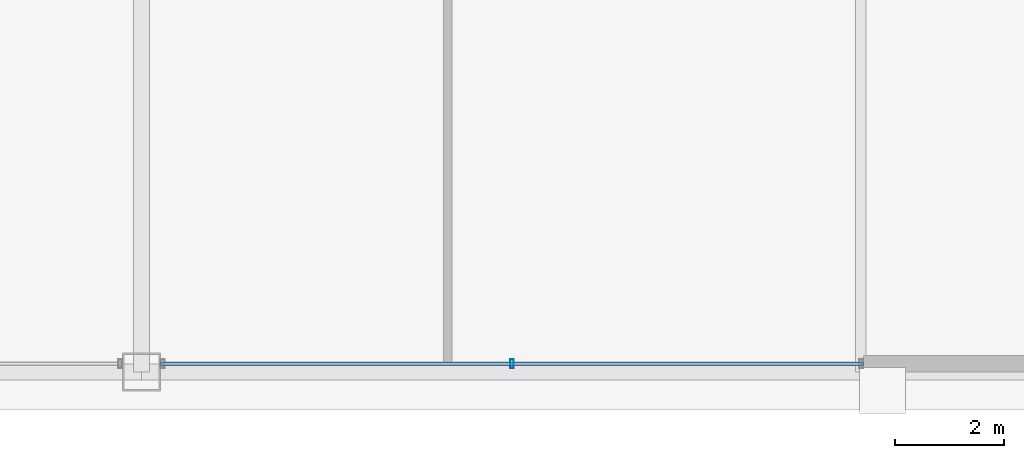
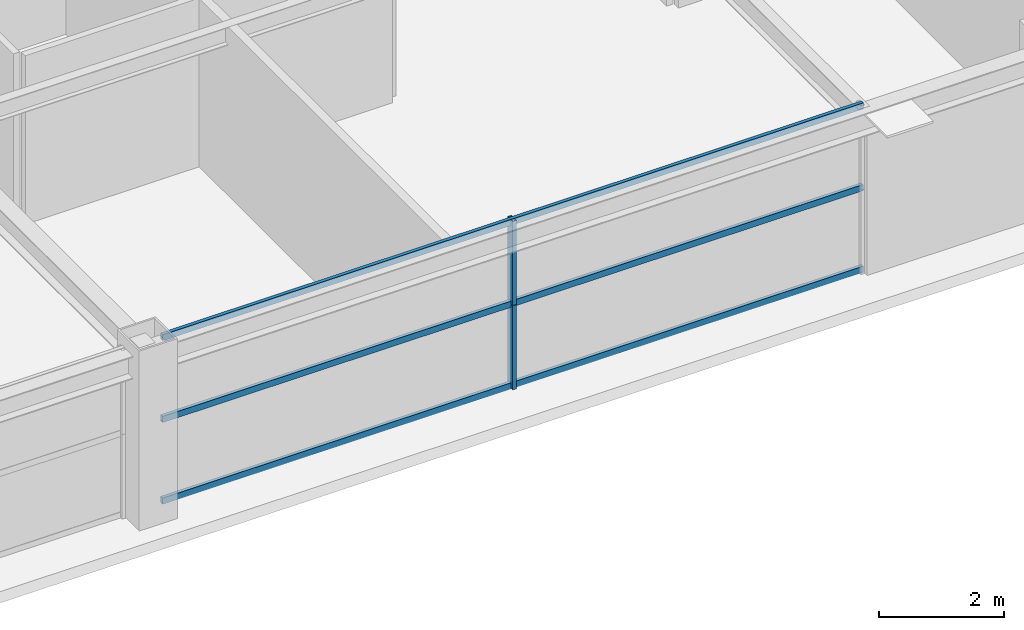
# One storey, part 11 of 36: 5 members, 1 element without a shape of its own.
"""IFC4 building model written with IfcOpenShell, lengths in metres."""

from ifc_helpers import new_model, si_unit, direction, frame, origin, origin_2d, place, context, subcontext, project, spatial, hollow_rectangle, extrude, source, transform, mapped, material, layer, layer_set, material_profile, profile_set, type_object, element, aggregate, save


model = new_model("IFC4")

# Units and contexts
model_context = context("Model", 3, precision=1e-05, world=origin(), true_north=direction((0.0, 1.0)))
body_context = subcontext(model_context, "Body", "Model", "MODEL_VIEW")
ifc_project = project(units=[si_unit("LENGTHUNIT", "METRE"), si_unit("AREAUNIT", "SQUARE_METRE"), si_unit("VOLUMEUNIT", "CUBIC_METRE"), si_unit("PLANEANGLEUNIT", "RADIAN"), si_unit("MASSUNIT", "GRAM", prefix="KILO"), si_unit("THERMODYNAMICTEMPERATUREUNIT", "KELVIN"), si_unit("POWERUNIT", "WATT")], contexts=[model_context])

# Site, building, storey
site_placement = place(None, origin())
site = spatial("IfcSite", under=ifc_project, at=site_placement, CompositionType="ELEMENT")
building_placement = place(site_placement, origin())
building = spatial("IfcBuilding", under=site, at=building_placement, Name="Yuzanri Waterfront Tower", CompositionType="ELEMENT")
storey_placement = place(building_placement, frame((0.0, 0.0, 238.10009765625)))
storey = spatial("IfcBuildingStorey", under=building, at=storey_placement, Name="L63", CompositionType="ELEMENT", Elevation=238.10009765625)

# Curtain wall, members
ifc_material_1 = material(Name="Anodized Architectural Bronze", Category="metal")
ifc_layer = layer(ifc_material_1, 0.159912109375)
ifc_layer_set = layer_set([ifc_layer], Name="Anodized Architectural Bronze")
curtain_wall_type = type_object("IfcCurtainWallType", Name="Anodized Bronze Mid-Rise Residential Acoustic Unitized Curtain Wall 7200", PredefinedType="NOTDEFINED", material=ifc_layer_set)
curtain_wall_placement = place(storey_placement, origin())
curtain_wall = element("IfcCurtainWall", 1, at=curtain_wall_placement, inside=storey, type_object=curtain_wall_type, Name="L63 Curtain Wall CW-L63-SR", PredefinedType="NOTDEFINED")
ifc_material_2 = material(Name="Anodized Architectural Bronze", Category="metal")
ifc_material_profile_1 = material_profile(ifc_material_2, hollow_rectangle(XDim=0.06494140625, YDim=0.159912109375, WallThickness=0.00341796875, at=origin_2d()), Name="CWM 65x160")
ifc_profile_set_1 = profile_set([ifc_material_profile_1], Name="Anodized Architectural Bronze")
member_type_1 = type_object("IfcMemberType", Name="Anodized Bronze Upper-Zone Curtain-Wall Mullion 65x160", PredefinedType="MULLION", material=ifc_profile_set_1)
shared_shape_1 = source(origin(), body_context, "Body", "SweptSolid", [
    extrude(hollow_rectangle(XDim=0.06494140625, YDim=0.159912109375, WallThickness=0.00341796875, at=origin_2d()), origin(), (0.0, 0.0, 1.0), 1.637939453125),
])
member_1_placement = place(storey_placement, frame((43.800048828125, 5.35009765625, 0.0), z_axis=(0.0, 0.0, 1.0), x_axis=(1.0, 0.0, 0.0)))
member_1 = element("IfcMember", 2, at=member_1_placement, type_object=member_type_1, Name="CW-L63-SR Lower Mullion 01", PredefinedType="MULLION", context=body_context, shape_type="MappedRepresentation", body=[
    mapped(shared_shape_1, transform((0.0, 0.0, 0.0), scale=1.0)),
])
member_2_placement = place(storey_placement, frame((43.800048828125, 5.35009765625, 1.641845703125), z_axis=(0.0, 0.0, 1.0), x_axis=(1.0, 0.0, 0.0)))
member_2 = element("IfcMember", 3, at=member_2_placement, type_object=member_type_1, Name="CW-L63-SR Upper Mullion 01", PredefinedType="MULLION", context=body_context, shape_type="MappedRepresentation", body=[
    mapped(shared_shape_1, transform((0.0, 0.0, 0.0), scale=1.0)),
])
ifc_material_3 = material(Name="Anodized Architectural Bronze", Category="metal")
ifc_material_profile_2 = material_profile(ifc_material_3, hollow_rectangle(XDim=0.06494140625, YDim=0.1201171875, WallThickness=0.00341796875, at=origin_2d()), Name="CWT 65x120")
ifc_profile_set_2 = profile_set([ifc_material_profile_2], Name="Anodized Architectural Bronze")
member_type_2 = type_object("IfcMemberType", Name="Anodized Bronze Secondary Curtain-Wall Transom 65x120", PredefinedType="USERDEFINED", material=ifc_profile_set_2)
shared_shape_2 = source(origin(), body_context, "Body", "SweptSolid", [
    extrude(hollow_rectangle(XDim=0.06494140625, YDim=0.1201171875, WallThickness=0.00341796875, at=origin_2d()), origin(), (0.0, 0.0, 1.0), 12.89990234375),
])
member_3_placement = place(storey_placement, frame((37.35009765625, 5.35009765625, 0.0498046875), z_axis=(1.0, 0.0, 0.0), x_axis=(0.0, 1.0, 0.0)))
member_3 = element("IfcMember", 4, at=member_3_placement, type_object=member_type_2, Name="CW-L63-SR Transom 1", ObjectType="TRANSOM", PredefinedType="USERDEFINED", context=body_context, shape_type="MappedRepresentation", body=[
    mapped(shared_shape_2, transform((0.0, 0.0, 0.0), scale=1.0)),
])
member_4_placement = place(storey_placement, frame((37.35009765625, 5.35009765625, 1.639892578125), z_axis=(1.0, 0.0, 0.0), x_axis=(0.0, 1.0, 0.0)))
member_4 = element("IfcMember", 5, at=member_4_placement, type_object=member_type_2, Name="CW-L63-SR Transom 2", ObjectType="TRANSOM", PredefinedType="USERDEFINED", context=body_context, shape_type="MappedRepresentation", body=[
    mapped(shared_shape_2, transform((0.0, 0.0, 0.0), scale=1.0)),
])
member_5_placement = place(storey_placement, frame((37.35009765625, 5.35009765625, 3.22998046875), z_axis=(1.0, 0.0, 0.0), x_axis=(0.0, 1.0, 0.0)))
member_5 = element("IfcMember", 6, at=member_5_placement, type_object=member_type_2, Name="CW-L63-SR Transom 3", ObjectType="TRANSOM", PredefinedType="USERDEFINED", context=body_context, shape_type="MappedRepresentation", body=[
    mapped(shared_shape_2, transform((0.0, 0.0, 0.0), scale=1.0)),
])
aggregate(curtain_wall, [member_1, member_2, member_3, member_4, member_5])

save(model, "model.ifc")
